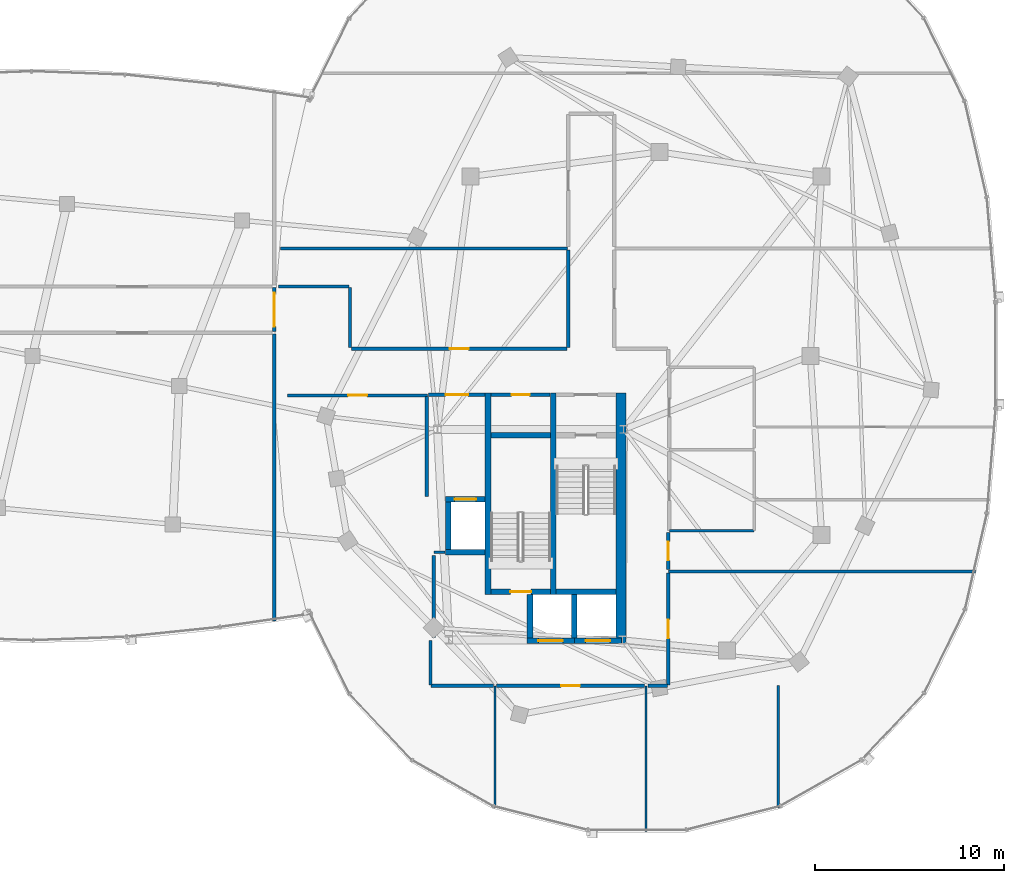
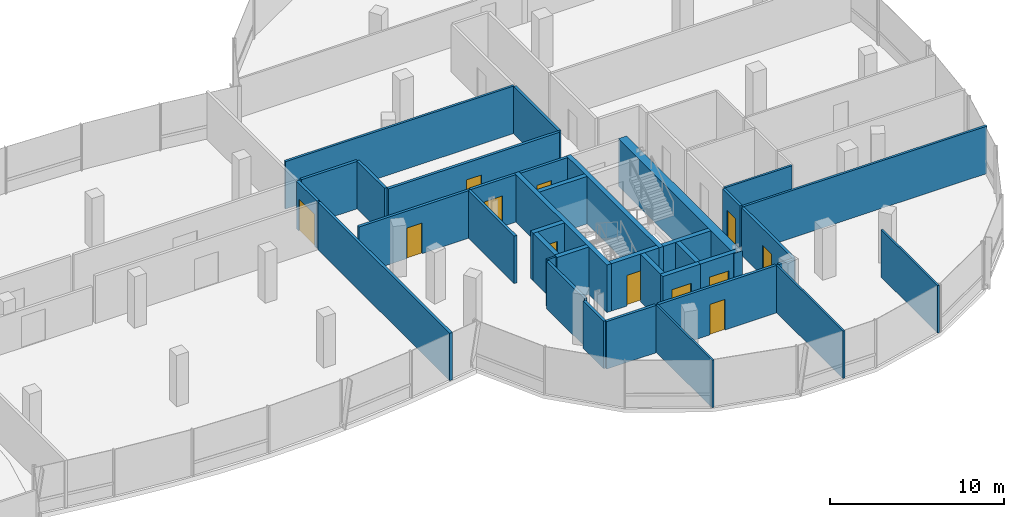
# One storey, part 16 of 26: 37 walls, 12 doors, 12 openings.
"""IFC4 building model written with IfcOpenShell, lengths in metres."""

from ifc_helpers import new_model, si_unit, direction, frame, frame_2d, origin, place, context, subcontext, project, spatial, rectangle, extrude, material, layer, layer_set, type_object, element, fill, save


model = new_model("IFC4")

# Units and contexts
model_context = context("Model", 3, precision=1e-05, world=origin(), true_north=direction((0.0, 1.0)))
body_context = subcontext(model_context, "Body", "Model", "MODEL_VIEW")
ifc_project = project(units=[si_unit("LENGTHUNIT", "METRE"), si_unit("AREAUNIT", "SQUARE_METRE"), si_unit("VOLUMEUNIT", "CUBIC_METRE"), si_unit("PLANEANGLEUNIT", "RADIAN"), si_unit("MASSUNIT", "GRAM", prefix="KILO"), si_unit("THERMODYNAMICTEMPERATUREUNIT", "KELVIN"), si_unit("POWERUNIT", "WATT")], contexts=[model_context])

# Site, building, storey
site_placement = place(None, origin())
site = spatial("IfcSite", under=ifc_project, at=site_placement, CompositionType="ELEMENT")
building_placement = place(site_placement, origin())
building = spatial("IfcBuilding", under=site, at=building_placement, Name="Cundina Bronze Exchange", CompositionType="ELEMENT")
storey_placement = place(building_placement, frame((0.0, 0.0, 261.199951171875)))
storey = spatial("IfcBuildingStorey", under=building, at=storey_placement, Name="L69", CompositionType="ELEMENT", Elevation=261.199951171875)

# Wall
ifc_material_1 = material(Name="Gypsum Fireboard Partition EI120")
ifc_layer_1 = layer(ifc_material_1, 0.179931640625, Name="Gypsum Fireboard Partition EI120")
ifc_layer_set_1 = layer_set([ifc_layer_1], Name="Gypsum Fireboard Partition EI120")
wall_type_1 = type_object("IfcWallType", Name="WL-COR-180", PredefinedType="PARTITIONING", material=ifc_layer_set_1)
wall_1_placement = place(storey_placement, frame((20.889892578125, -7.449951171875, 0.0), z_axis=(0.0, 0.0, 1.0), x_axis=(0.0, 1.0, 0.0)))
element("IfcWall", 1, at=wall_1_placement, inside=storey, type_object=wall_type_1, Name="L69 E Firefighting Lobby Side Wall", PredefinedType="PARTITIONING", context=body_context, shape_type="SweptSolid", body=[
    extrude(rectangle(XDim=5.300048828125, YDim=0.179931640625, at=frame_2d((2.64990234375, 0.0))), origin(), (0.0, 0.0, 1.0), 3.340087890625),
])

# Wall, opening, door
wall_2_placement = place(storey_placement, frame((20.97998046875, -2.06005859375, 0.0), z_axis=(0.0, 0.0, 1.0), x_axis=(1.0, 0.0, 0.0)))
wall_2 = element("IfcWall", 2, at=wall_2_placement, inside=storey, type_object=wall_type_1, Name="L69 E Firefighting Lobby Exit Wall", PredefinedType="PARTITIONING", context=body_context, shape_type="SweptSolid", body=[
    extrude(rectangle(XDim=3.0, YDim=0.179931640625, at=frame_2d((1.5, 0.0))), origin(), (0.0, 0.0, 1.0), 3.340087890625),
])
opening_1_placement = place(wall_2_placement, frame((0.89990234375, 0.0, 0.0)))
opening_1 = element("IfcOpeningElement", 3, at=opening_1_placement, cuts=wall_2, Name="Opening DF-01", PredefinedType="OPENING", context=body_context, shape_type="SweptSolid", body=[
    extrude(rectangle(XDim=1.199951171875, YDim=2.14990234375, at=frame_2d((0.60009765625, 1.074951171875))), frame((0.0, 0.099853515625, 0.0), z_axis=(0.0, -1.0, 0.0), x_axis=(1.0, 0.0, 0.0)), (0.0, 0.0, 1.0), 0.199951171875),
])
ifc_material_2 = material(Name="Steel ASTM A36 Painted", Category="steel")
door_type_1 = type_object("IfcDoorType", Name="DR-FFL-1200", OperationType="NOTDEFINED", PredefinedType="DOOR", material=ifc_material_2)
door_1_placement = place(opening_1_placement, origin())
door_1 = element("IfcDoor", 4, at=door_1_placement, inside=storey, type_object=door_type_1, Name="L69 E Firefighting Lobby Door", OperationType="SINGLE_SWING_LEFT", OverallHeight=2.14990234375, OverallWidth=1.199951171875, PredefinedType="DOOR", context=body_context, shape_type="SweptSolid", body=[
    extrude(rectangle(XDim=1.199951171875, YDim=2.14990234375, at=frame_2d((0.60009765625, 1.074951171875))), frame((0.0, 0.02490234375, 0.0), z_axis=(0.0, -1.0, 0.0), x_axis=(1.0, 0.0, 0.0)), (0.0, 0.0, 1.0), 0.050048828125),
])
fill(opening_1, door_1)

# Wall
wall_3_placement = place(storey_placement, frame((21.25, -14.929931640625, 0.0), z_axis=(0.0, 0.0, 1.0), x_axis=(0.0, 1.0, 0.0)))
element("IfcWall", 5, at=wall_3_placement, inside=storey, type_object=wall_type_1, Name="L69 Interior Partition 038", PredefinedType="PARTITIONING", context=body_context, shape_type="SweptSolid", body=[
    extrude(rectangle(XDim=4.35986328125, YDim=0.179931640625, at=frame_2d((2.179931640625, 0.0))), origin(), (0.0, 0.0, 1.0), 3.340087890625),
])

# Wall, opening, door
wall_4_placement = place(storey_placement, frame((24.300048828125, -2.070068359375, 0.0), z_axis=(0.0, 0.0, 1.0), x_axis=(1.0, 0.0, 0.0)))
wall_4 = element("IfcWall", 6, at=wall_4_placement, inside=storey, type_object=wall_type_1, Name="L69 Interior Partition 039", PredefinedType="PARTITIONING", context=body_context, shape_type="SweptSolid", body=[
    extrude(rectangle(XDim=3.119873046875, YDim=0.179931640625, at=frame_2d((1.56005859375, 0.0))), origin(), (0.0, 0.0, 1.0), 3.340087890625),
])
opening_2_placement = place(wall_4_placement, frame((1.0849609375, 0.0, 0.0)))
opening_2 = element("IfcOpeningElement", 7, at=opening_2_placement, cuts=wall_4, Name="Opening DW-01", PredefinedType="OPENING", context=body_context, shape_type="SweptSolid", body=[
    extrude(rectangle(XDim=0.949951171875, YDim=2.10009765625, at=frame_2d((0.47509765625, 1.050048828125))), frame((0.0, 0.099853515625, 0.0), z_axis=(0.0, -1.0, 0.0), x_axis=(1.0, 0.0, 0.0)), (0.0, 0.0, 1.0), 0.199951171875),
])
ifc_material_3 = material(Name="Solid Andean Oak Timber Grade A", Category="wood")
door_type_2 = type_object("IfcDoorType", Name="DR-WC-950", OperationType="NOTDEFINED", PredefinedType="DOOR", material=ifc_material_3)
door_2_placement = place(opening_2_placement, origin())
door_2 = element("IfcDoor", 8, at=door_2_placement, inside=storey, type_object=door_type_2, Name="L69 Interior Door 039", OperationType="SINGLE_SWING_RIGHT", OverallHeight=2.10009765625, OverallWidth=0.949951171875, PredefinedType="DOOR", context=body_context, shape_type="SweptSolid", body=[
    extrude(rectangle(XDim=0.949951171875, YDim=2.10009765625, at=frame_2d((0.47509765625, 1.050048828125))), frame((0.0, 0.02490234375, 0.0), z_axis=(0.0, -1.0, 0.0), x_axis=(1.0, 0.0, 0.0)), (0.0, 0.0, 1.0), 0.050048828125),
])
fill(opening_2, door_2)

wall_5_placement = place(storey_placement, frame((24.590087890625, -17.469970703125, 0.0), z_axis=(0.0, 0.0, 1.0), x_axis=(1.0, 0.0, 0.0)))
wall_5 = element("IfcWall", 9, at=wall_5_placement, inside=storey, type_object=wall_type_1, Name="L69 Interior Partition 056", PredefinedType="PARTITIONING", context=body_context, shape_type="SweptSolid", body=[
    extrude(rectangle(XDim=7.81982421875, YDim=0.179931640625, at=frame_2d((3.909912109375, 0.0))), origin(), (0.0, 0.0, 1.0), 3.340087890625),
])
opening_3_placement = place(wall_5_placement, frame((3.409912109375, 0.0, 0.0)))
opening_3 = element("IfcOpeningElement", 10, at=opening_3_placement, cuts=wall_5, Name="Opening DO-01", PredefinedType="OPENING", context=body_context, shape_type="SweptSolid", body=[
    extrude(rectangle(XDim=1.0, YDim=2.14990234375, at=frame_2d((0.5, 1.074951171875))), frame((0.0, 0.099853515625, 0.0), z_axis=(0.0, -1.0, 0.0), x_axis=(1.0, 0.0, 0.0)), (0.0, 0.0, 1.0), 0.199951171875),
])
door_type_3 = type_object("IfcDoorType", Name="DR-OFF-1000", OperationType="NOTDEFINED", PredefinedType="DOOR", material=ifc_material_3)
door_3_placement = place(opening_3_placement, origin())
door_3 = element("IfcDoor", 11, at=door_3_placement, inside=storey, type_object=door_type_3, Name="L69 Interior Door 056", OperationType="SINGLE_SWING_RIGHT", OverallHeight=2.14990234375, OverallWidth=1.0, PredefinedType="DOOR", context=body_context, shape_type="SweptSolid", body=[
    extrude(rectangle(XDim=1.0, YDim=2.14990234375, at=frame_2d((0.5, 1.074951171875))), frame((0.0, 0.02490234375, 0.0), z_axis=(0.0, -1.0, 0.0), x_axis=(1.0, 0.0, 0.0)), (0.0, 0.0, 1.0), 0.050048828125),
])
fill(opening_3, door_3)

wall_6_placement = place(storey_placement, frame((33.669921875, -17.428466796875, 0.0), z_axis=(0.0, 0.0, 1.0), x_axis=(0.0, 1.0, 0.0)))
wall_6 = element("IfcWall", 12, at=wall_6_placement, inside=storey, type_object=wall_type_1, Name="L69 Interior Partition 057", PredefinedType="PARTITIONING", context=body_context, shape_type="SweptSolid", body=[
    extrude(rectangle(XDim=5.91845703125, YDim=0.179931640625, at=frame_2d((2.959228515625, 0.0))), origin(), (0.0, 0.0, 1.0), 3.340087890625),
])
opening_4_placement = place(wall_6_placement, frame((2.459228515625, 0.0, 0.0)))
opening_4 = element("IfcOpeningElement", 13, at=opening_4_placement, cuts=wall_6, Name="Opening DO-01", PredefinedType="OPENING", context=body_context, shape_type="SweptSolid", body=[
    extrude(rectangle(XDim=1.0, YDim=2.14990234375, at=frame_2d((0.5, 1.074951171875))), frame((0.0, 0.099853515625, 0.0), z_axis=(0.0, -1.0, 0.0), x_axis=(1.0, 0.0, 0.0)), (0.0, 0.0, 1.0), 0.199951171875),
])
door_4_placement = place(opening_4_placement, origin())
door_4 = element("IfcDoor", 14, at=door_4_placement, inside=storey, type_object=door_type_3, Name="L69 Interior Door 057", OperationType="SINGLE_SWING_LEFT", OverallHeight=2.14990234375, OverallWidth=1.0, PredefinedType="DOOR", context=body_context, shape_type="SweptSolid", body=[
    extrude(rectangle(XDim=1.0, YDim=2.14990234375, at=frame_2d((0.5, 1.074951171875))), frame((0.0, 0.02490234375, 0.0), z_axis=(0.0, -1.0, 0.0), x_axis=(1.0, 0.0, 0.0)), (0.0, 0.0, 1.0), 0.050048828125),
])
fill(opening_4, door_4)

# Wall
wall_7_placement = place(storey_placement, frame((32.590087890625, -17.469970703125, 0.0), z_axis=(0.0, 0.0, 1.0), x_axis=(1.0, 0.0, 0.0)))
element("IfcWall", 15, at=wall_7_placement, inside=storey, type_object=wall_type_1, Name="L69 Interior Partition 058", PredefinedType="PARTITIONING", context=body_context, shape_type="SweptSolid", body=[
    extrude(rectangle(XDim=1.038330078125, YDim=0.179931640625, at=frame_2d((0.51904296875, 0.0))), origin(), (0.0, 0.0, 1.0), 3.340087890625),
])

# Wall, opening, door
wall_8_placement = place(storey_placement, frame((13.521484375, -2.10009765625, 0.0), z_axis=(0.0, 0.0, 1.0), x_axis=(1.0, 0.0, 0.0)))
wall_8 = element("IfcWall", 16, at=wall_8_placement, inside=storey, type_object=wall_type_1, Name="L69 Interior Partition 059", PredefinedType="PARTITIONING", context=body_context, shape_type="SweptSolid", body=[
    extrude(rectangle(XDim=7.3984375, YDim=0.179931640625, at=frame_2d((3.69921875, 0.0))), origin(), (0.0, 0.0, 1.0), 3.340087890625),
])
opening_5_placement = place(wall_8_placement, frame((3.19921875, 0.0, 0.0)))
opening_5 = element("IfcOpeningElement", 17, at=opening_5_placement, cuts=wall_8, Name="Opening DO-01", PredefinedType="OPENING", context=body_context, shape_type="SweptSolid", body=[
    extrude(rectangle(XDim=1.0, YDim=2.14990234375, at=frame_2d((0.5, 1.074951171875))), frame((0.0, 0.099853515625, 0.0), z_axis=(0.0, -1.0, 0.0), x_axis=(1.0, 0.0, 0.0)), (0.0, 0.0, 1.0), 0.199951171875),
])
door_5_placement = place(opening_5_placement, origin())
door_5 = element("IfcDoor", 18, at=door_5_placement, inside=storey, type_object=door_type_3, Name="L69 Interior Door 059", OperationType="SINGLE_SWING_LEFT", OverallHeight=2.14990234375, OverallWidth=1.0, PredefinedType="DOOR", context=body_context, shape_type="SweptSolid", body=[
    extrude(rectangle(XDim=1.0, YDim=2.14990234375, at=frame_2d((0.5, 1.074951171875))), frame((0.0, 0.02490234375, 0.0), z_axis=(0.0, -1.0, 0.0), x_axis=(1.0, 0.0, 0.0)), (0.0, 0.0, 1.0), 0.050048828125),
])
fill(opening_5, door_5)

# Walls
wall_9_placement = place(storey_placement, frame((21.12158203125, -17.469970703125, 0.0), z_axis=(0.0, 0.0, 1.0), x_axis=(1.0, 0.0, 0.0)))
element("IfcWall", 19, at=wall_9_placement, inside=storey, type_object=wall_type_1, Name="L69 Interior Partition 060", PredefinedType="PARTITIONING", context=body_context, shape_type="SweptSolid", body=[
    extrude(rectangle(XDim=3.288330078125, YDim=0.179931640625, at=frame_2d((1.64404296875, 0.0))), origin(), (0.0, 0.0, 1.0), 3.340087890625),
])
wall_10_placement = place(storey_placement, frame((21.080078125, -15.071533203125, 0.0), z_axis=(0.0, 0.0, 1.0), x_axis=(0.0, -1.0, 0.0)))
element("IfcWall", 20, at=wall_10_placement, inside=storey, type_object=wall_type_1, Name="L69 Interior Partition 061", PredefinedType="PARTITIONING", context=body_context, shape_type="SweptSolid", body=[
    extrude(rectangle(XDim=2.35693359375, YDim=0.179931640625, at=frame_2d((1.178466796875, 0.0))), origin(), (0.0, 0.0, 1.0), 3.340087890625),
])

# Wall, opening, door
wall_11_placement = place(storey_placement, frame((33.669921875, -11.330078125, 0.0), z_axis=(0.0, 0.0, 1.0), x_axis=(0.0, 1.0, 0.0)))
wall_11 = element("IfcWall", 21, at=wall_11_placement, inside=storey, type_object=wall_type_1, Name="L69 Interior Partition 062", PredefinedType="PARTITIONING", context=body_context, shape_type="SweptSolid", body=[
    extrude(rectangle(XDim=1.978759765625, YDim=0.179931640625, at=frame_2d((0.9892578125, 0.0))), origin(), (0.0, 0.0, 1.0), 3.340087890625),
])
opening_6_placement = place(wall_11_placement, frame((0.4892578125, 0.0, 0.0)))
opening_6 = element("IfcOpeningElement", 22, at=opening_6_placement, cuts=wall_11, Name="Opening DO-01", PredefinedType="OPENING", context=body_context, shape_type="SweptSolid", body=[
    extrude(rectangle(XDim=1.0, YDim=2.14990234375, at=frame_2d((0.5, 1.074951171875))), frame((0.0, 0.099853515625, 0.0), z_axis=(0.0, -1.0, 0.0), x_axis=(1.0, 0.0, 0.0)), (0.0, 0.0, 1.0), 0.199951171875),
])
door_6_placement = place(opening_6_placement, origin())
door_6 = element("IfcDoor", 23, at=door_6_placement, inside=storey, type_object=door_type_3, Name="L69 Interior Door 062", OperationType="SINGLE_SWING_LEFT", OverallHeight=2.14990234375, OverallWidth=1.0, PredefinedType="DOOR", context=body_context, shape_type="SweptSolid", body=[
    extrude(rectangle(XDim=1.0, YDim=2.14990234375, at=frame_2d((0.5, 1.074951171875))), frame((0.0, 0.02490234375, 0.0), z_axis=(0.0, -1.0, 0.0), x_axis=(1.0, 0.0, 0.0)), (0.0, 0.0, 1.0), 0.050048828125),
])
fill(opening_6, door_6)

wall_12_placement = place(storey_placement, frame((28.300048828125, 0.3701171875, 0.0), z_axis=(0.0, 0.0, 1.0), x_axis=(-1.0, 0.0, 0.0)))
wall_12 = element("IfcWall", 24, at=wall_12_placement, inside=storey, type_object=wall_type_1, Name="L69 Interior Partition 066", PredefinedType="PARTITIONING", context=body_context, shape_type="SweptSolid", body=[
    extrude(rectangle(XDim=11.400146484375, YDim=0.179931640625, at=frame_2d((5.7001953125, 0.0))), origin(), (0.0, 0.0, 1.0), 3.340087890625),
])
opening_7_placement = place(wall_12_placement, frame((5.199951171875, 0.0, 0.0)))
opening_7 = element("IfcOpeningElement", 25, at=opening_7_placement, cuts=wall_12, Name="Opening DO-01", PredefinedType="OPENING", context=body_context, shape_type="SweptSolid", body=[
    extrude(rectangle(XDim=1.0, YDim=2.14990234375, at=frame_2d((0.5, 1.074951171875))), frame((0.0, 0.099853515625, 0.0), z_axis=(0.0, -1.0, 0.0), x_axis=(1.0, 0.0, 0.0)), (0.0, 0.0, 1.0), 0.199951171875),
])
door_7_placement = place(opening_7_placement, origin())
door_7 = element("IfcDoor", 26, at=door_7_placement, inside=storey, type_object=door_type_3, Name="L69 Interior Door 066", OperationType="SINGLE_SWING_LEFT", OverallHeight=2.14990234375, OverallWidth=1.0, PredefinedType="DOOR", context=body_context, shape_type="SweptSolid", body=[
    extrude(rectangle(XDim=1.0, YDim=2.14990234375, at=frame_2d((0.5, 1.074951171875))), frame((0.0, 0.02490234375, 0.0), z_axis=(0.0, -1.0, 0.0), x_axis=(1.0, 0.0, 0.0)), (0.0, 0.0, 1.0), 0.050048828125),
])
fill(opening_7, door_7)

# Walls
wall_13_placement = place(storey_placement, frame((28.3798828125, 5.60009765625, 0.0), z_axis=(0.0, 0.0, 1.0), x_axis=(0.0, -1.0, 0.0)))
element("IfcWall", 27, at=wall_13_placement, inside=storey, type_object=wall_type_1, Name="L69 Interior Partition 067", PredefinedType="PARTITIONING", context=body_context, shape_type="SweptSolid", body=[
    extrude(rectangle(XDim=5.150146484375, YDim=0.179931640625, at=frame_2d((2.5751953125, 0.0))), origin(), (0.0, 0.0, 1.0), 3.340087890625),
])
wall_14_placement = place(storey_placement, frame((16.778564453125, 3.669921875, 0.0), z_axis=(0.0, 0.0, 1.0), x_axis=(-1.0, 0.0, 0.0)))
element("IfcWall", 28, at=wall_14_placement, inside=storey, type_object=wall_type_1, Name="L69 Interior Partition 068", PredefinedType="PARTITIONING", context=body_context, shape_type="SweptSolid", body=[
    extrude(rectangle(XDim=3.7529296875, YDim=0.179931640625, at=frame_2d((1.87646484375, 0.0))), origin(), (0.0, 0.0, 1.0), 3.340087890625),
])
wall_15_placement = place(storey_placement, frame((16.820068359375, 0.449951171875, 0.0), z_axis=(0.0, 0.0, 1.0), x_axis=(0.0, 1.0, 0.0)))
element("IfcWall", 29, at=wall_15_placement, inside=storey, type_object=wall_type_1, Name="L69 Interior Partition 069", PredefinedType="PARTITIONING", context=body_context, shape_type="SweptSolid", body=[
    extrude(rectangle(XDim=3.178466796875, YDim=0.179931640625, at=frame_2d((1.58935546875, 0.0))), origin(), (0.0, 0.0, 1.0), 3.340087890625),
])
wall_16_placement = place(storey_placement, frame((12.800048828125, -14.043701171875, 0.0), z_axis=(0.0, 0.0, 1.0), x_axis=(0.0, 1.0, 0.0)))
element("IfcWall", 30, at=wall_16_placement, inside=storey, type_object=wall_type_1, Name="L69 Interior Partition 083", PredefinedType="PARTITIONING", context=body_context, shape_type="SweptSolid", body=[
    extrude(rectangle(XDim=15.20361328125, YDim=0.179931640625, at=frame_2d((7.601806640625, 0.0))), origin(), (0.0, 0.0, 1.0), 3.340087890625),
])

# Wall, opening, door
wall_17_placement = place(storey_placement, frame((12.800048828125, 1.280029296875, 0.0), z_axis=(0.0, 0.0, 1.0), x_axis=(0.0, 1.0, 0.0)))
wall_17 = element("IfcWall", 31, at=wall_17_placement, inside=storey, type_object=wall_type_1, Name="L69 Interior Partition 085", PredefinedType="PARTITIONING", context=body_context, shape_type="SweptSolid", body=[
    extrude(rectangle(XDim=2.340087890625, YDim=0.179931640625, at=frame_2d((1.169921875, 0.0))), origin(), (0.0, 0.0, 1.0), 3.340087890625),
])
opening_8_placement = place(wall_17_placement, frame((0.27001953125, 0.0, 0.0)))
opening_8 = element("IfcOpeningElement", 32, at=opening_8_placement, cuts=wall_17, Name="Opening DB-01", PredefinedType="OPENING", context=body_context, shape_type="SweptSolid", body=[
    extrude(rectangle(XDim=1.800048828125, YDim=2.25, at=frame_2d((0.89990234375, 1.125))), frame((0.0, 0.099853515625, 0.0), z_axis=(0.0, -1.0, 0.0), x_axis=(1.0, 0.0, 0.0)), (0.0, 0.0, 1.0), 0.199951171875),
])
door_type_4 = type_object("IfcDoorType", Name="DR-BRG-1800", OperationType="NOTDEFINED", PredefinedType="DOOR", material=ifc_material_2)
door_8_placement = place(opening_8_placement, origin())
door_8 = element("IfcDoor", 33, at=door_8_placement, inside=storey, type_object=door_type_4, Name="L69 Interior Door 085", OperationType="DOUBLE_DOOR_SINGLE_SWING", OverallHeight=2.25, OverallWidth=1.800048828125, PredefinedType="DOOR", context=body_context, shape_type="SweptSolid", body=[
    extrude(rectangle(XDim=1.800048828125, YDim=2.25, at=frame_2d((0.89990234375, 1.125))), frame((0.0, 0.02490234375, 0.0), z_axis=(0.0, -1.0, 0.0), x_axis=(1.0, 0.0, 0.0)), (0.0, 0.0, 1.0), 0.050048828125),
])
fill(opening_8, door_8)

# Walls
ifc_material_4 = material(Name="Concrete C50/60", Category="concrete")
ifc_layer_2 = layer(ifc_material_4, 0.550048828125, Name="Concrete C50/60", Category="concrete")
ifc_layer_set_2 = layer_set([ifc_layer_2], Name="Concrete C50/60")
wall_type_2 = type_object("IfcWallType", Name="WL-CORE-550", PredefinedType="SHEAR", material=ifc_layer_set_2)
wall_18_placement = place(storey_placement, frame((31.175048828125, -15.300048828125, 0.0), z_axis=(0.0, 0.0, 1.0), x_axis=(0.0, 1.0, 0.0)))
element("IfcWall", 34, at=wall_18_placement, inside=storey, type_object=wall_type_2, Name="L69 E Primary Core Shear Spine Wall", PredefinedType="SHEAR", context=body_context, shape_type="SweptSolid", body=[
    extrude(rectangle(XDim=13.330078125, YDim=0.550048828125, at=frame_2d((6.6650390625, 0.0))), origin(), (0.0, 0.0, 1.0), 3.340087890625),
])
ifc_material_5 = material(Name="Gypsum Acoustic Partition EI60")
ifc_layer_3 = layer(ifc_material_5, 0.125, Name="Gypsum Acoustic Partition EI60")
ifc_layer_set_3 = layer_set([ifc_layer_3], Name="Gypsum Acoustic Partition EI60")
wall_type_3 = type_object("IfcWallType", Name="WL-OFF-125", PredefinedType="PARTITIONING", material=ifc_layer_set_3)
wall_19_placement = place(storey_placement, frame((24.5, -23.962646484375, 0.0), z_axis=(0.0, 0.0, 1.0), x_axis=(0.0, 1.0, 0.0)))
element("IfcWall", 35, at=wall_19_placement, inside=storey, type_object=wall_type_3, Name="L69 Interior Partition 053", PredefinedType="PARTITIONING", context=body_context, shape_type="SweptSolid", body=[
    extrude(rectangle(XDim=6.462646484375, YDim=0.125, at=frame_2d((3.2314453125, 0.0))), origin(), (0.0, 0.0, 1.0), 3.340087890625),
])
wall_20_placement = place(storey_placement, frame((32.5, -25.18994140625, 0.0), z_axis=(0.0, 0.0, 1.0), x_axis=(0.0, 1.0, 0.0)))
element("IfcWall", 36, at=wall_20_placement, inside=storey, type_object=wall_type_3, Name="L69 Interior Partition 054", PredefinedType="PARTITIONING", context=body_context, shape_type="SweptSolid", body=[
    extrude(rectangle(XDim=7.68994140625, YDim=0.125, at=frame_2d((3.844970703125, 0.0))), origin(), (0.0, 0.0, 1.0), 3.340087890625),
])
wall_21_placement = place(storey_placement, frame((39.5, -23.962646484375, 0.0), z_axis=(0.0, 0.0, 1.0), x_axis=(0.0, 1.0, 0.0)))
element("IfcWall", 37, at=wall_21_placement, inside=storey, type_object=wall_type_3, Name="L69 Interior Partition 055", PredefinedType="PARTITIONING", context=body_context, shape_type="SweptSolid", body=[
    extrude(rectangle(XDim=6.49267578125, YDim=0.125, at=frame_2d((3.246337890625, 0.0))), origin(), (0.0, 0.0, 1.0), 3.340087890625),
])
ifc_layer_4 = layer(ifc_material_4, 0.300048828125, Name="Concrete C50/60", Category="concrete")
ifc_layer_set_4 = layer_set([ifc_layer_4], Name="Concrete C50/60")
wall_type_4 = type_object("IfcWallType", Name="WL-SHFT-300", PredefinedType="SHEAR", material=ifc_layer_set_4)
for number, where, z_axis, x_axis, name in (
    (38, (27.590087890625, -12.64990234375, 0.0), (0.0, 0.0, 1.0), (0.0, 1.0, 0.0), "L69 E Stair Shaft Dividing Shear Wall"),
    (39, (24.1298828125, -12.64990234375, 0.0), (0.0, 0.0, 1.0), (0.0, 1.0, 0.0), "L69 E Stair 2 East Shear Wall"),
):
    element("IfcWall", number, at=place(storey_placement, frame(where, z_axis=z_axis, x_axis=x_axis)), inside=storey, type_object=wall_type_4, Name=name, PredefinedType="SHEAR", context=body_context, shape_type="SweptSolid", body=[
        extrude(rectangle(XDim=10.679931640625, YDim=0.300048828125, at=frame_2d((5.33984375, 0.0))), origin(), (0.0, 0.0, 1.0), 3.340087890625),
    ])
wall_22_placement = place(storey_placement, frame((27.739990234375, -12.5, 0.0), z_axis=(0.0, 0.0, 1.0), x_axis=(1.0, 0.0, 0.0)))
element("IfcWall", 40, at=wall_22_placement, inside=storey, type_object=wall_type_4, Name="L69 Stair E1 Far Shaft Wall", PredefinedType="SHEAR", context=body_context, shape_type="SweptSolid", body=[
    extrude(rectangle(XDim=3.159912109375, YDim=0.300048828125, at=frame_2d((1.580078125, 0.0))), origin(), (0.0, 0.0, 1.0), 3.340087890625),
])

# Wall, opening, door
wall_23_placement = place(storey_placement, frame((24.280029296875, -12.5, 0.0), z_axis=(0.0, 0.0, 1.0), x_axis=(1.0, 0.0, 0.0)))
wall_23 = element("IfcWall", 41, at=wall_23_placement, inside=storey, type_object=wall_type_4, Name="L69 Stair E2 Landing Wall", PredefinedType="SHEAR", context=body_context, shape_type="SweptSolid", body=[
    extrude(rectangle(XDim=3.159912109375, YDim=0.300048828125, at=frame_2d((1.580078125, 0.0))), origin(), (0.0, 0.0, 1.0), 3.340087890625),
])
opening_9_placement = place(wall_23_placement, frame((1.030029296875, 0.0, 0.0)))
opening_9 = element("IfcOpeningElement", 42, at=opening_9_placement, cuts=wall_23, Name="Opening DS-01", PredefinedType="OPENING", context=body_context, shape_type="SweptSolid", body=[
    extrude(rectangle(XDim=1.10009765625, YDim=2.14990234375, at=frame_2d((0.550048828125, 1.074951171875))), frame((0.0, 0.159912109375, 0.0), z_axis=(0.0, -1.0, 0.0), x_axis=(1.0, 0.0, 0.0)), (0.0, 0.0, 1.0), 0.320068359375),
])
door_type_5 = type_object("IfcDoorType", Name="DR-STR-1100", OperationType="NOTDEFINED", PredefinedType="DOOR", material=ifc_material_2)
door_9_placement = place(opening_9_placement, origin())
door_9 = element("IfcDoor", 43, at=door_9_placement, inside=storey, type_object=door_type_5, Name="L69 Smokeproof Stair E2 Door", OperationType="SINGLE_SWING_RIGHT", OverallHeight=2.14990234375, OverallWidth=1.10009765625, PredefinedType="DOOR", context=body_context, shape_type="SweptSolid", body=[
    extrude(rectangle(XDim=1.10009765625, YDim=2.14990234375, at=frame_2d((0.550048828125, 1.074951171875))), frame((0.0, 0.02490234375, 0.0), z_axis=(0.0, -1.0, 0.0), x_axis=(1.0, 0.0, 0.0)), (0.0, 0.0, 1.0), 0.050048828125),
])
fill(opening_9, door_9)

# Wall
wall_24_placement = place(storey_placement, frame((24.280029296875, -4.199951171875, 0.0), z_axis=(0.0, 0.0, 1.0), x_axis=(1.0, 0.0, 0.0)))
element("IfcWall", 44, at=wall_24_placement, inside=storey, type_object=wall_type_4, Name="L69 Stair E2 Far Shaft Wall", PredefinedType="SHEAR", context=body_context, shape_type="SweptSolid", body=[
    extrude(rectangle(XDim=3.159912109375, YDim=0.300048828125, at=frame_2d((1.580078125, 0.0))), origin(), (0.0, 0.0, 1.0), 3.340087890625),
])

# Wall, opening, door
wall_25_placement = place(storey_placement, frame((21.8798828125, -7.60009765625, 0.0), z_axis=(0.0, 0.0, 1.0), x_axis=(1.0, 0.0, 0.0)))
wall_25 = element("IfcWall", 45, at=wall_25_placement, inside=storey, type_object=wall_type_4, Name="L69 FFL-E Hoistway Front Wall", PredefinedType="SHEAR", context=body_context, shape_type="SweptSolid", body=[
    extrude(rectangle(XDim=2.10009765625, YDim=0.300048828125, at=frame_2d((1.050048828125, 0.0))), origin(), (0.0, 0.0, 1.0), 3.340087890625),
])
opening_10_placement = place(wall_25_placement, frame((0.47509765625, 0.0, 0.0)))
opening_10 = element("IfcOpeningElement", 46, at=opening_10_placement, cuts=wall_25, Name="Opening LD-01", PredefinedType="OPENING", context=body_context, shape_type="SweptSolid", body=[
    extrude(rectangle(XDim=1.14990234375, YDim=2.199951171875, at=frame_2d((0.574951171875, 1.10009765625))), frame((0.0, 0.159912109375, 0.0), z_axis=(0.0, -1.0, 0.0), x_axis=(1.0, 0.0, 0.0)), (0.0, 0.0, 1.0), 0.320068359375),
])
door_type_6 = type_object("IfcDoorType", Name="DR-LND-1150", OperationType="NOTDEFINED", PredefinedType="TRAPDOOR", material=ifc_material_2)
door_10_placement = place(opening_10_placement, origin())
door_10 = element("IfcDoor", 47, at=door_10_placement, inside=storey, type_object=door_type_6, Name="L69 FFL-E Sliding Landing Door", OperationType="SLIDING_TO_LEFT", OverallHeight=2.199951171875, OverallWidth=1.14990234375, PredefinedType="TRAPDOOR", context=body_context, shape_type="SweptSolid", body=[
    extrude(rectangle(XDim=1.14990234375, YDim=2.199951171875, at=frame_2d((0.574951171875, 1.10009765625))), frame((0.0, 0.02490234375, 0.0), z_axis=(0.0, -1.0, 0.0), x_axis=(1.0, 0.0, 0.0)), (0.0, 0.0, 1.0), 0.050048828125),
])
fill(opening_10, door_10)

# Walls
wall_26_placement = place(storey_placement, frame((21.8798828125, -10.39990234375, 0.0), z_axis=(0.0, 0.0, 1.0), x_axis=(1.0, 0.0, 0.0)))
element("IfcWall", 48, at=wall_26_placement, inside=storey, type_object=wall_type_4, Name="L69 FFL-E Hoistway Back Wall", PredefinedType="SHEAR", context=body_context, shape_type="SweptSolid", body=[
    extrude(rectangle(XDim=2.10009765625, YDim=0.300048828125, at=frame_2d((1.050048828125, 0.0))), origin(), (0.0, 0.0, 1.0), 3.340087890625),
])
wall_27_placement = place(storey_placement, frame((22.030029296875, -10.25, 0.0), z_axis=(0.0, 0.0, 1.0), x_axis=(0.0, 1.0, 0.0)))
element("IfcWall", 49, at=wall_27_placement, inside=storey, type_object=wall_type_4, Name="L69 FFL-E Hoistway Side Wall", PredefinedType="SHEAR", context=body_context, shape_type="SweptSolid", body=[
    extrude(rectangle(XDim=2.5, YDim=0.300048828125, at=frame_2d((1.25, 0.0))), origin(), (0.0, 0.0, 1.0), 3.340087890625),
])

# Wall, opening, door
wall_28_placement = place(storey_placement, frame((28.699951171875, -15.10009765625, 0.0), z_axis=(0.0, 0.0, 1.0), x_axis=(1.0, 0.0, 0.0)))
wall_28 = element("IfcWall", 50, at=wall_28_placement, inside=storey, type_object=wall_type_4, Name="L69 PH-E1 Hoistway Front Wall", PredefinedType="SHEAR", context=body_context, shape_type="SweptSolid", body=[
    extrude(rectangle(XDim=2.5, YDim=0.300048828125, at=frame_2d((1.25, 0.0))), origin(), (0.0, 0.0, 1.0), 3.340087890625),
])
opening_11_placement = place(wall_28_placement, frame((0.60009765625, 0.0, 0.0)))
opening_11 = element("IfcOpeningElement", 51, at=opening_11_placement, cuts=wall_28, Name="Opening LD-02", PredefinedType="OPENING", context=body_context, shape_type="SweptSolid", body=[
    extrude(rectangle(XDim=1.300048828125, YDim=2.199951171875, at=frame_2d((0.64990234375, 1.10009765625))), frame((0.0, 0.159912109375, 0.0), z_axis=(0.0, -1.0, 0.0), x_axis=(1.0, 0.0, 0.0)), (0.0, 0.0, 1.0), 0.320068359375),
])
door_type_7 = type_object("IfcDoorType", Name="DR-LND-1300", OperationType="NOTDEFINED", PredefinedType="TRAPDOOR", material=ifc_material_2)
door_11_placement = place(opening_11_placement, origin())
door_11 = element("IfcDoor", 52, at=door_11_placement, inside=storey, type_object=door_type_7, Name="L69 PH-E1 Sliding Landing Door", OperationType="SLIDING_TO_LEFT", OverallHeight=2.199951171875, OverallWidth=1.300048828125, PredefinedType="TRAPDOOR", context=body_context, shape_type="SweptSolid", body=[
    extrude(rectangle(XDim=1.300048828125, YDim=2.199951171875, at=frame_2d((0.64990234375, 1.10009765625))), frame((0.0, 0.02490234375, 0.0), z_axis=(0.0, -1.0, 0.0), x_axis=(1.0, 0.0, 0.0)), (0.0, 0.0, 1.0), 0.050048828125),
])
fill(opening_11, door_11)

# Wall
wall_29_placement = place(storey_placement, frame((28.699951171875, -14.949951171875, 0.0), z_axis=(0.0, 0.0, 1.0), x_axis=(0.0, 1.0, 0.0)))
element("IfcWall", 53, at=wall_29_placement, inside=storey, type_object=wall_type_4, Name="L69 PH-E1 Hoistway Divider Wall", PredefinedType="SHEAR", context=body_context, shape_type="SweptSolid", body=[
    extrude(rectangle(XDim=2.300048828125, YDim=0.300048828125, at=frame_2d((1.14990234375, 0.0))), origin(), (0.0, 0.0, 1.0), 3.340087890625),
])

# Wall, opening, door
wall_30_placement = place(storey_placement, frame((26.199951171875, -15.10009765625, 0.0), z_axis=(0.0, 0.0, 1.0), x_axis=(1.0, 0.0, 0.0)))
wall_30 = element("IfcWall", 54, at=wall_30_placement, inside=storey, type_object=wall_type_4, Name="L69 PH-E2 Hoistway Front Wall", PredefinedType="SHEAR", context=body_context, shape_type="SweptSolid", body=[
    extrude(rectangle(XDim=2.5, YDim=0.300048828125, at=frame_2d((1.25, 0.0))), origin(), (0.0, 0.0, 1.0), 3.340087890625),
])
opening_12_placement = place(wall_30_placement, frame((0.60009765625, 0.0, 0.0)))
opening_12 = element("IfcOpeningElement", 55, at=opening_12_placement, cuts=wall_30, Name="Opening LD-02", PredefinedType="OPENING", context=body_context, shape_type="SweptSolid", body=[
    extrude(rectangle(XDim=1.300048828125, YDim=2.199951171875, at=frame_2d((0.64990234375, 1.10009765625))), frame((0.0, 0.159912109375, 0.0), z_axis=(0.0, -1.0, 0.0), x_axis=(1.0, 0.0, 0.0)), (0.0, 0.0, 1.0), 0.320068359375),
])
door_12_placement = place(opening_12_placement, origin())
door_12 = element("IfcDoor", 56, at=door_12_placement, inside=storey, type_object=door_type_7, Name="L69 PH-E2 Sliding Landing Door", OperationType="SLIDING_TO_LEFT", OverallHeight=2.199951171875, OverallWidth=1.300048828125, PredefinedType="TRAPDOOR", context=body_context, shape_type="SweptSolid", body=[
    extrude(rectangle(XDim=1.300048828125, YDim=2.199951171875, at=frame_2d((0.64990234375, 1.10009765625))), frame((0.0, 0.02490234375, 0.0), z_axis=(0.0, -1.0, 0.0), x_axis=(1.0, 0.0, 0.0)), (0.0, 0.0, 1.0), 0.050048828125),
])
fill(opening_12, door_12)

# Walls
wall_31_placement = place(storey_placement, frame((26.35009765625, -14.949951171875, 0.0), z_axis=(0.0, 0.0, 1.0), x_axis=(0.0, 1.0, 0.0)))
element("IfcWall", 57, at=wall_31_placement, inside=storey, type_object=wall_type_4, Name="L69 PH-E2 Hoistway Divider Wall", PredefinedType="SHEAR", context=body_context, shape_type="SweptSolid", body=[
    extrude(rectangle(XDim=2.300048828125, YDim=0.300048828125, at=frame_2d((1.14990234375, 0.0))), origin(), (0.0, 0.0, 1.0), 3.340087890625),
])
ifc_layer_5 = layer(ifc_material_5, 0.14990234375, Name="Gypsum Acoustic Partition EI60")
ifc_layer_set_5 = layer_set([ifc_layer_5], Name="Gypsum Acoustic Partition EI60")
wall_type_5 = type_object("IfcWallType", Name="WL-TEN-150", PredefinedType="PARTITIONING", material=ifc_layer_set_5)
wall_32_placement = place(storey_placement, frame((13.140380859375, 5.68994140625, 0.0), z_axis=(0.0, 0.0, 1.0), x_axis=(1.0, 0.0, 0.0)))
element("IfcWall", 58, at=wall_32_placement, inside=storey, type_object=wall_type_5, Name="L69 Interior Partition 049", PredefinedType="PARTITIONING", context=body_context, shape_type="SweptSolid", body=[
    extrude(rectangle(XDim=15.209716796875, YDim=0.14990234375, at=frame_2d((7.60498046875, 0.0))), origin(), (0.0, 0.0, 1.0), 3.340087890625),
])
wall_33_placement = place(storey_placement, frame((33.699951171875, -11.419921875, 0.0), z_axis=(0.0, 0.0, 1.0), x_axis=(1.0, 0.0, 0.0)))
element("IfcWall", 59, at=wall_33_placement, inside=storey, type_object=wall_type_5, Name="L69 Interior Partition 052", PredefinedType="PARTITIONING", context=body_context, shape_type="SweptSolid", body=[
    extrude(rectangle(XDim=16.238037109375, YDim=0.14990234375, at=frame_2d((8.119140625, 0.0))), origin(), (0.0, 0.0, 1.0), 3.340087890625),
])
ifc_material_6 = material(Name="Moisture-Resistant Masonry Block Grade M15", Category="masonry")
ifc_layer_6 = layer(ifc_material_6, 0.139892578125, Name="Moisture-Resistant Masonry Block Grade M15", Category="masonry")
ifc_layer_set_6 = layer_set([ifc_layer_6], Name="Moisture-Resistant Masonry Block Grade M15")
wall_type_6 = type_object("IfcWallType", Name="WL-WET-140", PredefinedType="PARTITIONING", material=ifc_layer_set_6)
wall_34_placement = place(storey_placement, frame((21.27001953125, -10.39990234375, 0.0), z_axis=(0.0, 0.0, 1.0), x_axis=(1.0, 0.0, 0.0)))
element("IfcWall", 60, at=wall_34_placement, inside=storey, type_object=wall_type_6, Name="L69 Interior Partition 037", PredefinedType="PARTITIONING", context=body_context, shape_type="SweptSolid", body=[
    extrude(rectangle(XDim=0.590087890625, YDim=0.139892578125, at=frame_2d((0.294921875, 0.0))), origin(), (0.0, 0.0, 1.0), 3.340087890625),
])
wall_35_placement = place(storey_placement, frame((33.739990234375, -9.260009765625, 0.0), z_axis=(0.0, 0.0, 1.0), x_axis=(1.0, 0.0, 0.0)))
element("IfcWall", 61, at=wall_35_placement, inside=storey, type_object=wall_type_6, Name="L69 Interior Partition 046", PredefinedType="PARTITIONING", context=body_context, shape_type="SweptSolid", body=[
    extrude(rectangle(XDim=4.47998046875, YDim=0.139892578125, at=frame_2d((2.239990234375, 0.0))), origin(), (0.0, 0.0, 1.0), 3.340087890625),
])

save(model, "model.ifc")
